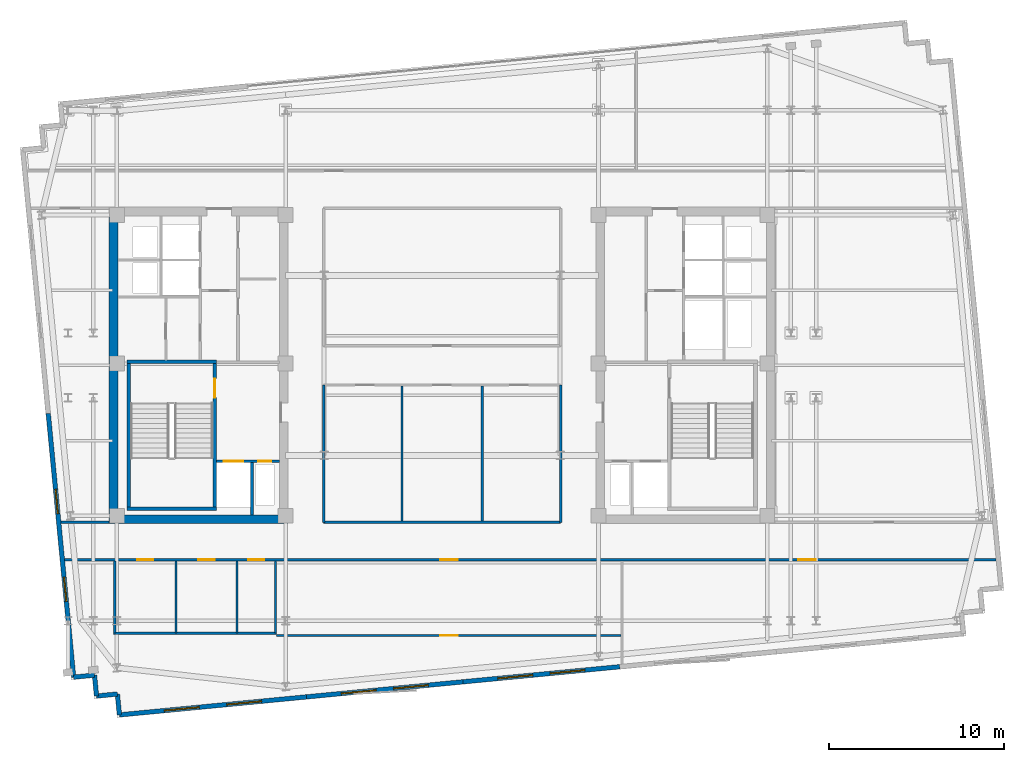
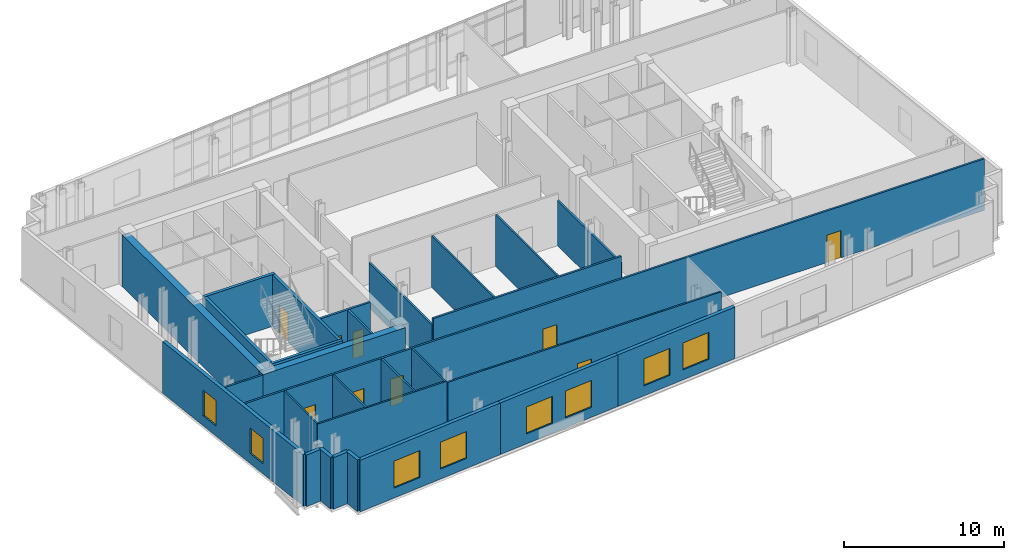
# One storey, part 6 of 11: 29 walls, 9 doors, 8 windows, 17 openings.
"""IFC4 building model written with IfcOpenShell, lengths in metres."""

import ifcopenshell
import ifcopenshell.guid

model = None  # the IFC model being written
_history = None  # IfcOwnerHistory: only IFC2X3 demands one
_inside = {}  # id of a spatial element -> (the spatial element, [elements in it])
_under = {}  # id of a project, library or spatial element -> (it, [spatial elements below it])
_declared = {}  # id of a project -> (the project, [libraries it declares])
_typed = {}  # id of a type object -> (the type object, [elements of that type])
_made_of = {}  # id of a material, layer set ... -> (it, [elements and type objects made of it])


def new_model(schema):
    """Start an empty IFC model of exactly this schema.

    Asked for "IFC4X3", IfcOpenShell would pick the latest addendum, in which some entities
    have other attributes; the version numbers below select the first issue.
    IFC2X3 requires an IfcOwnerHistory on every rooted entity: one is made here for all.
    """
    global model, _history
    if schema == "IFC4X3":
        model = ifcopenshell.file(schema_version=(4, 3, 0, 0))
    else:
        model = ifcopenshell.file(schema=schema)
    _inside.clear()
    _under.clear()
    _declared.clear()
    _typed.clear()
    _made_of.clear()
    _history = None
    if model.schema == "IFC2X3":
        org = make("IfcOrganization", Name="unknown")
        user = make(
            "IfcPersonAndOrganization",
            ThePerson=make("IfcPerson", FamilyName="unknown"),
            TheOrganization=org,
        )
        app = make(
            "IfcApplication",
            ApplicationDeveloper=org,
            Version="unknown",
            ApplicationFullName="unknown",
            ApplicationIdentifier="unknown",
        )
        _history = make(
            "IfcOwnerHistory",
            OwningUser=user,
            OwningApplication=app,
            ChangeAction="ADDED",
            CreationDate=0,
        )
    return model


def make(cls, **values):
    """One entity of the class cls with the attributes given. An attribute that is None is left unset."""
    return model.create_entity(
        cls, **{name: value for name, value in values.items() if value is not None}
    )


def rooted(cls, **values):
    """An entity with a GlobalId (a new one), such as an element, a storey or a relation."""
    return make(cls, GlobalId=ifcopenshell.guid.new(), OwnerHistory=_history, **values)


def si_unit(unit_type, name, prefix=None):
    """IfcSIUnit, for example si_unit("LENGTHUNIT", "METRE", prefix="MILLI")."""
    return make("IfcSIUnit", UnitType=unit_type, Prefix=prefix, Name=name)


def assignment(units):
    """IfcUnitAssignment: the units of a project."""
    return None if units is None else make("IfcUnitAssignment", Units=units)


def point(xyz):
    """IfcCartesianPoint."""
    return None if xyz is None else make("IfcCartesianPoint", Coordinates=xyz)


def direction(xyz):
    """IfcDirection."""
    return None if xyz is None else make("IfcDirection", DirectionRatios=xyz)


def frame(location, z_axis=None, x_axis=None):
    """IfcAxis2Placement3D, a coordinate frame: its origin and axes. An axis left out is left unset."""
    return make(
        "IfcAxis2Placement3D",
        Location=point(location),
        Axis=direction(z_axis),
        RefDirection=direction(x_axis),
    )


def frame_2d(location, x_axis=None):
    """IfcAxis2Placement2D, a coordinate frame in the plane: its origin and x axis."""
    return make(
        "IfcAxis2Placement2D", Location=point(location), RefDirection=direction(x_axis)
    )


def origin():
    """The frame at (0, 0, 0) with its axes left unset."""
    return frame((0.0, 0.0, 0.0))


def place(relative_to, where):
    """IfcLocalPlacement: puts the frame where relative to a parent placement (None: the world)."""
    return make(
        "IfcLocalPlacement", PlacementRelTo=relative_to, RelativePlacement=where
    )


def context(
    kind, dimensions, precision=None, world=None, true_north=None, identifier=None
):
    """IfcGeometricRepresentationContext, for example the 3D "Model" context."""
    return make(
        "IfcGeometricRepresentationContext",
        ContextIdentifier=identifier,
        ContextType=kind,
        CoordinateSpaceDimension=dimensions,
        Precision=precision,
        WorldCoordinateSystem=world,
        TrueNorth=true_north,
    )


def subcontext(parent, identifier, kind, view, scale=None):
    """IfcGeometricRepresentationSubContext, for example "Body" below "Model"."""
    return make(
        "IfcGeometricRepresentationSubContext",
        ContextIdentifier=identifier,
        ContextType=kind,
        ParentContext=parent,
        TargetScale=scale,
        TargetView=view,
    )


def project(units=None, contexts=None):
    """IfcProject with its units and contexts."""
    return rooted(
        "IfcProject",
        Name="project",
        RepresentationContexts=contexts,
        UnitsInContext=assignment(units),
    )


def spatial(cls, under=None, at=None, **own):
    """A site, building, storey or space (cls), placed at a placement, below another one or the project."""
    s = rooted(cls, ObjectPlacement=at, **own)
    if under is not None:
        _under.setdefault(under.id(), (under, []))[1].append(s)
    return s


def profile(cls, at=None, kind="AREA", **sizes):
    """A parametric profile (cls). Its sizes go by their IFC names, for example OverallWidth=200.0."""
    return make(cls, ProfileType=kind, Position=at, **sizes)


def rectangle(**sizes):
    """IfcRectangleProfileDef."""
    return profile("IfcRectangleProfileDef", **sizes)


def extrude(swept, where, along, depth):
    """IfcExtrudedAreaSolid: the profile swept, set in the frame where, extruded along a direction by depth."""
    return make(
        "IfcExtrudedAreaSolid",
        SweptArea=swept,
        Position=where,
        ExtrudedDirection=direction(along),
        Depth=depth,
    )


def shape(context_of_items, identifier, shape_type, items):
    """IfcShapeRepresentation: the items that make up one representation, for example the "Body"."""
    return make(
        "IfcShapeRepresentation",
        ContextOfItems=context_of_items,
        RepresentationIdentifier=identifier,
        RepresentationType=shape_type,
        Items=items,
    )


def material(Name=None, Category=None):
    """IfcMaterial."""
    return make("IfcMaterial", Name=Name, Category=Category)


def layer(
    of_material, thickness, ventilated=None, Name=None, Category=None, Priority=None
):
    """IfcMaterialLayer: one layer of a wall or slab, of a material (None: an air gap)."""
    return make(
        "IfcMaterialLayer",
        Material=of_material,
        LayerThickness=thickness,
        IsVentilated=ventilated,
        Name=Name,
        Category=Category,
        Priority=Priority,
    )


def layer_set(layers, Name=None):
    """IfcMaterialLayerSet."""
    return make("IfcMaterialLayerSet", MaterialLayers=layers, LayerSetName=Name)


def made_of(thing, what):
    """Note that an element or type object is made of a material, layer set ...; save() writes the relation."""
    if what is not None:
        _made_of.setdefault(what.id(), (what, []))[1].append(thing)
    return thing


def type_object(cls, material=None, **own):
    """A type object (cls), such as IfcWallType, which elements share."""
    return made_of(rooted(cls, **own), material)


def element(
    cls,
    number,
    at=None,
    inside=None,
    cuts=None,
    type_object=None,
    material=None,
    context=None,
    identifier="Body",
    shape_type=None,
    held_by="IfcProductDefinitionShape",
    body=None,
    shapes=None,
    **own,
):
    """One element of the class cls, such as IfcWall. Its Tag is "e" and its number.

    at: its placement. inside: the storey or other place that contains it. cuts: it is an
    opening in that element (IfcRelVoidsElement). A single representation is given by context,
    identifier, shape_type and body (its items); several are given by shapes. held_by: the class
    of the entity that holds the representations. save() writes the other relations.
    """
    e = rooted(cls, Tag="e%d" % number, ObjectPlacement=at, **own)
    if body is not None:
        shapes = [shape(context, identifier, shape_type, body)]
    if shapes is not None:
        e.Representation = make(held_by, Representations=shapes)
    if inside is not None:
        _inside.setdefault(inside.id(), (inside, []))[1].append(e)
    if cuts is not None:
        rooted(
            "IfcRelVoidsElement", RelatingBuildingElement=cuts, RelatedOpeningElement=e
        )
    if type_object is not None:
        _typed.setdefault(type_object.id(), (type_object, []))[1].append(e)
    return made_of(e, material)


def fill(opening, filler):
    """IfcRelFillsElement: the door or window that sits in an opening."""
    return rooted(
        "IfcRelFillsElement",
        RelatingOpeningElement=opening,
        RelatedBuildingElement=filler,
    )


def aggregate(whole, parts):
    """IfcRelAggregates: a whole, such as a stair, and the parts it consists of."""
    return rooted("IfcRelAggregates", RelatingObject=whole, RelatedObjects=parts)


def save(model, path):
    """Write the relations noted so far, then the file.

    IfcRelAggregates (storeys below a building ...), IfcRelContainedInSpatialStructure (elements
    in a storey), IfcRelDefinesByType, IfcRelAssociatesMaterial and IfcRelDeclares: one each for
    every whole, place, type object, material and project.
    """
    for whole, parts in _under.values():
        aggregate(whole, parts)
    for where, things in _inside.values():
        rooted(
            "IfcRelContainedInSpatialStructure",
            RelatedElements=things,
            RelatingStructure=where,
        )
    for kind, things in _typed.values():
        rooted("IfcRelDefinesByType", RelatedObjects=things, RelatingType=kind)
    for what, things in _made_of.values():
        rooted("IfcRelAssociatesMaterial", RelatedObjects=things, RelatingMaterial=what)
    for by, libraries in _declared.values():
        rooted("IfcRelDeclares", RelatingContext=by, RelatedDefinitions=libraries)
    model.write(path)


model = new_model("IFC4")

# Units and contexts
model_context = context("Model", 3, precision=1e-05, world=origin(), true_north=direction((0.0, 1.0)))
body_context = subcontext(model_context, "Body", "Model", "MODEL_VIEW")
ifc_project = project(units=[si_unit("LENGTHUNIT", "METRE"), si_unit("AREAUNIT", "SQUARE_METRE"), si_unit("VOLUMEUNIT", "CUBIC_METRE"), si_unit("PLANEANGLEUNIT", "RADIAN"), si_unit("MASSUNIT", "GRAM", prefix="KILO")], contexts=[model_context])

# Site, building, storey
site_placement = place(None, origin())
site = spatial("IfcSite", under=ifc_project, at=site_placement, CompositionType="ELEMENT")
building_placement = place(site_placement, origin())
building = spatial("IfcBuilding", under=site, at=building_placement, Name="Velakula Bourse", CompositionType="ELEMENT")
storey_placement = place(building_placement, frame((0.0, 0.0, 282.75)))
storey = spatial("IfcBuildingStorey", under=building, at=storey_placement, Name="L77", CompositionType="ELEMENT", Elevation=282.75)

# Wall, opening, door
ifc_material_1 = material(Name="Concrete M50 (fck 50 MPa)", Category="concrete")
ifc_layer_1 = layer(ifc_material_1, 0.2099609375, Name="Concrete M50 (fck 50 MPa)", Category="concrete")
ifc_layer_set_1 = layer_set([ifc_layer_1], Name="Concrete M50 (fck 50 MPa)")
wall_type_1 = type_object("IfcWallType", Name="WL-CORE-210", PredefinedType="SHEAR", material=ifc_layer_set_1)
wall_1_placement = place(storey_placement, frame((-12.9951171875, -8.10009765625, 0.0), z_axis=(0.0, 0.0, 1.0), x_axis=(0.0, 1.0, 0.0)))
wall_1 = element("IfcWall", 1, at=wall_1_placement, inside=storey, type_object=wall_type_1, Name="L77 Core W Stairwell Shear Wall IN", PredefinedType="SHEAR", context=body_context, shape_type="SweptSolid", body=[
    extrude(rectangle(XDim=8.2001953125, YDim=0.2099609375, at=frame_2d((4.10009765625, 0.0))), origin(), (0.0, 0.0, 1.0), 3.949951171875),
])
opening_1_placement = place(wall_1_placement, frame((6.25, 0.0, 0.0)))
opening_1 = element("IfcOpeningElement", 2, at=opening_1_placement, cuts=wall_1, Name="Opening D-STW1", PredefinedType="OPENING", context=body_context, shape_type="SweptSolid", body=[
    extrude(rectangle(XDim=1.10009765625, YDim=2.14990234375, at=frame_2d((0.550048828125, 1.074951171875))), frame((0.0, 0.114990234375, 0.0), z_axis=(0.0, -1.0, 0.0), x_axis=(1.0, 0.0, 0.0)), (0.0, 0.0, 1.0), 0.22998046875),
])
ifc_material_2 = material(Name="Galvanised painted hollow steel fire door", Category="steel")
door_type_1 = type_object("IfcDoorType", Name="DR-FD120-1100x2150", OperationType="NOTDEFINED", PredefinedType="DOOR", material=ifc_material_2)
door_1_placement = place(opening_1_placement, origin())
door_1 = element("IfcDoor", 3, at=door_1_placement, inside=storey, type_object=door_type_1, Name="L77 Stair ST-W1 Fire Door", OperationType="SINGLE_SWING_LEFT", OverallHeight=2.14990234375, OverallWidth=1.10009765625, PredefinedType="DOOR", context=body_context, shape_type="SweptSolid", body=[
    extrude(rectangle(XDim=1.10009765625, YDim=2.14990234375, at=frame_2d((0.550048828125, 1.074951171875))), frame((0.0, 0.02490234375, 0.0), z_axis=(0.0, -1.0, 0.0), x_axis=(1.0, 0.0, 0.0)), (0.0, 0.0, 1.0), 0.050048828125),
])
fill(opening_1, door_1)

# Walls
wall_2_placement = place(storey_placement, frame((-17.925048828125, -8.10009765625, 0.0), z_axis=(0.0, 0.0, 1.0), x_axis=(0.0, 1.0, 0.0)))
element("IfcWall", 4, at=wall_2_placement, inside=storey, type_object=wall_type_1, Name="L77 Core W Stairwell Shear Wall OUT", PredefinedType="SHEAR", context=body_context, shape_type="SweptSolid", body=[
    extrude(rectangle(XDim=8.2001953125, YDim=0.2099609375, at=frame_2d((4.10009765625, 0.0))), origin(), (0.0, 0.0, 1.0), 3.949951171875),
])
for number, where, z_axis, x_axis, name in (
    (5, (-18.030029296875, -8.205078125, 0.0), (0.0, 0.0, 1.0), (1.0, 0.0, 0.0), "L77 Core W Stairwell Shear Wall S"),
    (6, (-12.889892578125, 0.205078125, 0.0), (0.0, 0.0, 1.0), (-1.0, 0.0, 0.0), "L77 Core W Stairwell Shear Wall N"),
):
    element("IfcWall", number, at=place(storey_placement, frame(where, z_axis=z_axis, x_axis=x_axis)), inside=storey, type_object=wall_type_1, Name=name, PredefinedType="SHEAR", context=body_context, shape_type="SweptSolid", body=[
        extrude(rectangle(XDim=5.14013671875, YDim=0.2099609375, at=frame_2d((2.570068359375, 0.0))), origin(), (0.0, 0.0, 1.0), 3.949951171875),
    ])
ifc_layer_2 = layer(ifc_material_1, 0.5, Name="Concrete M50 (fck 50 MPa)", Category="concrete")
ifc_layer_set_2 = layer_set([ifc_layer_2], Name="Concrete M50 (fck 50 MPa)")
wall_type_2 = type_object("IfcWallType", Name="WL-CORE-500", PredefinedType="SHEAR", material=ifc_layer_set_2)
wall_3_placement = place(storey_placement, frame((-19.050048828125, -8.800048828125, 0.0), z_axis=(0.0, 0.0, 1.0), x_axis=(1.0, 0.0, 0.0)))
element("IfcWall", 7, at=wall_3_placement, inside=storey, type_object=wall_type_2, Name="L77 Core W Shear Wall S", PredefinedType="SHEAR", context=body_context, shape_type="SweptSolid", body=[
    extrude(rectangle(XDim=10.25, YDim=0.5, at=frame_2d((5.125, 0.0))), origin(), (0.0, 0.0, 1.0), 3.949951171875),
])
wall_4_placement = place(storey_placement, frame((-18.800048828125, -8.550048828125, 0.0), z_axis=(0.0, 0.0, 1.0), x_axis=(0.0, 1.0, 0.0)))
element("IfcWall", 8, at=wall_4_placement, inside=storey, type_object=wall_type_2, Name="L77 Core W Shear Wall W", PredefinedType="SHEAR", context=body_context, shape_type="SweptSolid", body=[
    extrude(rectangle(XDim=17.10009765625, YDim=0.5, at=frame_2d((8.550048828125, 0.0))), origin(), (0.0, 0.0, 1.0), 3.949951171875),
])

# Wall, openings, windows
ifc_material_3 = material(Name="Buff kilned clay facing brick masonry", Category="masonry")
ifc_layer_3 = layer(ifc_material_3, 0.260009765625, Name="Buff kilned clay facing brick masonry", Category="masonry")
ifc_layer_set_3 = layer_set([ifc_layer_3], Name="Buff kilned clay facing brick masonry")
wall_type_3 = type_object("IfcWallType", Name="WL-EXT-BRK-260", PredefinedType="STANDARD", material=ifc_layer_set_3)
wall_5_placement = place(storey_placement, frame((-7.755859375, -18.963134765625, 0.0), z_axis=(0.0, 0.0, 1.0), x_axis=(-0.995396745868, -0.095840066339, 0.0)))
wall_5 = element("IfcWall", 9, at=wall_5_placement, inside=storey, type_object=wall_type_3, Name="L77 S Brick Spandrel Wall B1", PredefinedType="STANDARD", context=body_context, shape_type="SweptSolid", body=[
    extrude(rectangle(XDim=10.75, YDim=0.260009765625, at=frame_2d((5.375, 0.0))), origin(), (0.0, 0.0, 1.0), 3.929931640625),
])
opening_2_placement = place(wall_5_placement, frame((2.583251953125, 0.0, 0.760009765625)))
opening_2 = element("IfcOpeningElement", 10, at=opening_2_placement, cuts=wall_5, Name="Opening W-05", PredefinedType="OPENING", context=body_context, shape_type="SweptSolid", body=[
    extrude(rectangle(XDim=2.0, YDim=2.050048828125, at=frame_2d((1.0, 1.02490234375))), frame((0.0, 0.139892578125, 0.0), z_axis=(0.0, -1.0, 0.0), x_axis=(1.0, 0.0, 0.0)), (0.0, 0.0, 1.0), 0.280029296875),
])
opening_3_placement = place(wall_5_placement, frame((6.166748046875, 0.0, 0.760009765625)))
opening_3 = element("IfcOpeningElement", 11, at=opening_3_placement, cuts=wall_5, Name="Opening W-05", PredefinedType="OPENING", context=body_context, shape_type="SweptSolid", body=[
    extrude(rectangle(XDim=2.0, YDim=2.050048828125, at=frame_2d((1.0, 1.02490234375))), frame((0.0, 0.139892578125, 0.0), z_axis=(0.0, -1.0, 0.0), x_axis=(1.0, 0.0, 0.0)), (0.0, 0.0, 1.0), 0.280029296875),
])
ifc_material_4 = material(Name="Double-glazed solar-control Low-E glass", Category="glass")
window_type_1 = type_object("IfcWindowType", Name="WIN-TWR-2000x2200", PartitioningType="DOUBLE_PANEL_VERTICAL", PredefinedType="WINDOW", material=ifc_material_4)
window_1_placement = place(opening_2_placement, origin())
window_1 = element("IfcWindow", 12, at=window_1_placement, inside=storey, type_object=window_type_1, Name="L77 Deep-Set Recessed Window 1", OverallHeight=2.050048828125, OverallWidth=2.0, PartitioningType="DOUBLE_PANEL_VERTICAL", PredefinedType="WINDOW", context=body_context, shape_type="SweptSolid", body=[
    extrude(rectangle(XDim=2.0, YDim=2.050048828125, at=frame_2d((1.0, 1.02490234375))), frame((0.0, 0.030029296875, 0.0), z_axis=(0.0, -1.0, 0.0), x_axis=(1.0, 0.0, 0.0)), (0.0, 0.0, 1.0), 0.06005859375),
])
fill(opening_2, window_1)
window_2_placement = place(opening_3_placement, origin())
window_2 = element("IfcWindow", 13, at=window_2_placement, inside=storey, type_object=window_type_1, Name="L77 Deep-Set Recessed Window 2", OverallHeight=2.050048828125, OverallWidth=2.0, PartitioningType="DOUBLE_PANEL_VERTICAL", PredefinedType="WINDOW", context=body_context, shape_type="SweptSolid", body=[
    extrude(rectangle(XDim=2.0, YDim=2.050048828125, at=frame_2d((1.0, 1.02490234375))), frame((0.0, 0.030029296875, 0.0), z_axis=(0.0, -1.0, 0.0), x_axis=(1.0, 0.0, 0.0)), (0.0, 0.0, 1.0), 0.06005859375),
])
fill(opening_3, window_2)

wall_6_placement = place(storey_placement, frame((1.202880859375, -18.1005859375, 0.0), z_axis=(0.0, 0.0, 1.0), x_axis=(-0.995397043619, -0.095836973841, 0.0)))
wall_6 = element("IfcWall", 14, at=wall_6_placement, inside=storey, type_object=wall_type_3, Name="L77 S Brick Spandrel Wall B2", PredefinedType="STANDARD", context=body_context, shape_type="SweptSolid", body=[
    extrude(rectangle(XDim=9.000244140625, YDim=0.260009765625, at=frame_2d((4.5, 0.0))), origin(), (0.0, 0.0, 1.0), 3.929931640625),
])
opening_4_placement = place(wall_6_placement, frame((2.0, 0.0, 0.760009765625)))
opening_4 = element("IfcOpeningElement", 15, at=opening_4_placement, cuts=wall_6, Name="Opening W-05", PredefinedType="OPENING", context=body_context, shape_type="SweptSolid", body=[
    extrude(rectangle(XDim=2.0, YDim=2.050048828125, at=frame_2d((1.0, 1.02490234375))), frame((0.0, 0.139892578125, 0.0), z_axis=(0.0, -1.0, 0.0), x_axis=(1.0, 0.0, 0.0)), (0.0, 0.0, 1.0), 0.280029296875),
])
opening_5_placement = place(wall_6_placement, frame((5.0, 0.0, 0.760009765625)))
opening_5 = element("IfcOpeningElement", 16, at=opening_5_placement, cuts=wall_6, Name="Opening W-05", PredefinedType="OPENING", context=body_context, shape_type="SweptSolid", body=[
    extrude(rectangle(XDim=2.0, YDim=2.050048828125, at=frame_2d((1.0, 1.02490234375))), frame((0.0, 0.139892578125, 0.0), z_axis=(0.0, -1.0, 0.0), x_axis=(1.0, 0.0, 0.0)), (0.0, 0.0, 1.0), 0.280029296875),
])
window_3_placement = place(opening_4_placement, origin())
window_3 = element("IfcWindow", 17, at=window_3_placement, inside=storey, type_object=window_type_1, Name="L77 Deep-Set Recessed Window 1", OverallHeight=2.050048828125, OverallWidth=2.0, PartitioningType="DOUBLE_PANEL_VERTICAL", PredefinedType="WINDOW", context=body_context, shape_type="SweptSolid", body=[
    extrude(rectangle(XDim=2.0, YDim=2.050048828125, at=frame_2d((1.0, 1.02490234375))), frame((0.0, 0.030029296875, 0.0), z_axis=(0.0, -1.0, 0.0), x_axis=(1.0, 0.0, 0.0)), (0.0, 0.0, 1.0), 0.06005859375),
])
fill(opening_4, window_3)
window_4_placement = place(opening_5_placement, origin())
window_4 = element("IfcWindow", 18, at=window_4_placement, inside=storey, type_object=window_type_1, Name="L77 Deep-Set Recessed Window 2", OverallHeight=2.050048828125, OverallWidth=2.0, PartitioningType="DOUBLE_PANEL_VERTICAL", PredefinedType="WINDOW", context=body_context, shape_type="SweptSolid", body=[
    extrude(rectangle(XDim=2.0, YDim=2.050048828125, at=frame_2d((1.0, 1.02490234375))), frame((0.0, 0.030029296875, 0.0), z_axis=(0.0, -1.0, 0.0), x_axis=(1.0, 0.0, 0.0)), (0.0, 0.0, 1.0), 0.06005859375),
])
fill(opening_5, window_4)

wall_7_placement = place(storey_placement, frame((10.161376953125, -17.23779296875, 0.0), z_axis=(0.0, 0.0, 1.0), x_axis=(-0.995394206237, -0.095866439332, 0.0)))
wall_7 = element("IfcWall", 19, at=wall_7_placement, inside=storey, type_object=wall_type_3, Name="L77 S Brick Spandrel Wall B3", PredefinedType="STANDARD", context=body_context, shape_type="SweptSolid", body=[
    extrude(rectangle(XDim=9.0, YDim=0.260009765625, at=frame_2d((4.5, 0.0))), origin(), (0.0, 0.0, 1.0), 3.929931640625),
])
opening_6_placement = place(wall_7_placement, frame((2.0, 0.0, 0.760009765625)))
opening_6 = element("IfcOpeningElement", 20, at=opening_6_placement, cuts=wall_7, Name="Opening W-05", PredefinedType="OPENING", context=body_context, shape_type="SweptSolid", body=[
    extrude(rectangle(XDim=2.0, YDim=2.050048828125, at=frame_2d((1.0, 1.02490234375))), frame((0.0, 0.139892578125, 0.0), z_axis=(0.0, -1.0, 0.0), x_axis=(1.0, 0.0, 0.0)), (0.0, 0.0, 1.0), 0.280029296875),
])
opening_7_placement = place(wall_7_placement, frame((5.0, 0.0, 0.760009765625)))
opening_7 = element("IfcOpeningElement", 21, at=opening_7_placement, cuts=wall_7, Name="Opening W-05", PredefinedType="OPENING", context=body_context, shape_type="SweptSolid", body=[
    extrude(rectangle(XDim=2.0, YDim=2.050048828125, at=frame_2d((1.0, 1.02490234375))), frame((0.0, 0.139892578125, 0.0), z_axis=(0.0, -1.0, 0.0), x_axis=(1.0, 0.0, 0.0)), (0.0, 0.0, 1.0), 0.280029296875),
])
window_5_placement = place(opening_6_placement, origin())
window_5 = element("IfcWindow", 22, at=window_5_placement, inside=storey, type_object=window_type_1, Name="L77 Deep-Set Recessed Window 1", OverallHeight=2.050048828125, OverallWidth=2.0, PartitioningType="DOUBLE_PANEL_VERTICAL", PredefinedType="WINDOW", context=body_context, shape_type="SweptSolid", body=[
    extrude(rectangle(XDim=2.0, YDim=2.050048828125, at=frame_2d((1.0, 1.02490234375))), frame((0.0, 0.030029296875, 0.0), z_axis=(0.0, -1.0, 0.0), x_axis=(1.0, 0.0, 0.0)), (0.0, 0.0, 1.0), 0.06005859375),
])
fill(opening_6, window_5)
window_6_placement = place(opening_7_placement, origin())
window_6 = element("IfcWindow", 23, at=window_6_placement, inside=storey, type_object=window_type_1, Name="L77 Deep-Set Recessed Window 2", OverallHeight=2.050048828125, OverallWidth=2.0, PartitioningType="DOUBLE_PANEL_VERTICAL", PredefinedType="WINDOW", context=body_context, shape_type="SweptSolid", body=[
    extrude(rectangle(XDim=2.0, YDim=2.050048828125, at=frame_2d((1.0, 1.02490234375))), frame((0.0, 0.030029296875, 0.0), z_axis=(0.0, -1.0, 0.0), x_axis=(1.0, 0.0, 0.0)), (0.0, 0.0, 1.0), 0.06005859375),
])
fill(opening_7, window_6)

wall_8_placement = place(storey_placement, frame((-21.0751953125, -17.83447265625, 0.0), z_axis=(0.0, 0.0, 1.0), x_axis=(-0.095852427869, 0.995395555582, 0.0)))
wall_8 = element("IfcWall", 24, at=wall_8_placement, inside=storey, type_object=wall_type_3, Name="L77 W Brick End Wall W1", PredefinedType="STANDARD", context=body_context, shape_type="SweptSolid", body=[
    extrude(rectangle(XDim=15.14990234375, YDim=0.260009765625, at=frame_2d((7.574951171875, 0.0))), origin(), (0.0, 0.0, 1.0), 3.929931640625),
])
opening_8_placement = place(wall_8_placement, frame((4.35009765625, 0.0, 0.760009765625)))
opening_8 = element("IfcOpeningElement", 25, at=opening_8_placement, cuts=wall_8, Name="Opening W-03", PredefinedType="OPENING", context=body_context, shape_type="SweptSolid", body=[
    extrude(rectangle(XDim=1.39990234375, YDim=1.949951171875, at=frame_2d((0.699951171875, 0.97509765625))), frame((0.0, 0.139892578125, 0.0), z_axis=(0.0, -1.0, 0.0), x_axis=(1.0, 0.0, 0.0)), (0.0, 0.0, 1.0), 0.280029296875),
])
opening_9_placement = place(wall_8_placement, frame((9.39990234375, 0.0, 0.760009765625)))
opening_9 = element("IfcOpeningElement", 26, at=opening_9_placement, cuts=wall_8, Name="Opening W-03", PredefinedType="OPENING", context=body_context, shape_type="SweptSolid", body=[
    extrude(rectangle(XDim=1.39990234375, YDim=1.949951171875, at=frame_2d((0.699951171875, 0.97509765625))), frame((0.0, 0.139892578125, 0.0), z_axis=(0.0, -1.0, 0.0), x_axis=(1.0, 0.0, 0.0)), (0.0, 0.0, 1.0), 0.280029296875),
])
window_type_2 = type_object("IfcWindowType", Name="WIN-TWR-1400x2100", PartitioningType="SINGLE_PANEL", PredefinedType="WINDOW", material=ifc_material_4)
window_7_placement = place(opening_8_placement, origin())
window_7 = element("IfcWindow", 27, at=window_7_placement, inside=storey, type_object=window_type_2, Name="L77 Deep-Set Recessed Window 1", OverallHeight=1.949951171875, OverallWidth=1.39990234375, PartitioningType="SINGLE_PANEL", PredefinedType="WINDOW", context=body_context, shape_type="SweptSolid", body=[
    extrude(rectangle(XDim=1.39990234375, YDim=1.949951171875, at=frame_2d((0.699951171875, 0.97509765625))), frame((0.0, 0.030029296875, 0.0), z_axis=(0.0, -1.0, 0.0), x_axis=(1.0, 0.0, 0.0)), (0.0, 0.0, 1.0), 0.06005859375),
])
fill(opening_8, window_7)
window_8_placement = place(opening_9_placement, origin())
window_8 = element("IfcWindow", 28, at=window_8_placement, inside=storey, type_object=window_type_2, Name="L77 Deep-Set Recessed Window 2", OverallHeight=1.949951171875, OverallWidth=1.39990234375, PartitioningType="SINGLE_PANEL", PredefinedType="WINDOW", context=body_context, shape_type="SweptSolid", body=[
    extrude(rectangle(XDim=1.39990234375, YDim=1.949951171875, at=frame_2d((0.699951171875, 0.97509765625))), frame((0.0, 0.030029296875, 0.0), z_axis=(0.0, -1.0, 0.0), x_axis=(1.0, 0.0, 0.0)), (0.0, 0.0, 1.0), 0.06005859375),
])
fill(opening_9, window_8)

# Walls
wall_9_placement = place(storey_placement, frame((-21.0751953125, -17.83447265625, 0.0), z_axis=(0.0, 0.0, 1.0), x_axis=(0.995397091755, 0.095836473879, 0.0)))
element("IfcWall", 29, at=wall_9_placement, inside=storey, type_object=wall_type_3, Name="L77 Serrated Corner Brick Wall SW-1", PredefinedType="STANDARD", context=body_context, shape_type="SweptSolid", body=[
    extrude(rectangle(XDim=1.199951171875, YDim=0.260009765625, at=frame_2d((0.60009765625, 0.0))), origin(), (0.0, 0.0, 1.0), 3.929931640625),
])
for number, where, z_axis, x_axis, name in (
    (30, (-19.880859375, -17.719482421875, 0.0), (0.0, 0.0, 1.0), (0.095817067274, -0.995398960025, 0.0), "L77 Serrated Corner Brick Wall SW-2"),
    (31, (-19.765869140625, -18.9140625, 0.0), (0.0, 0.0, 1.0), (0.995398960025, 0.095817067274, 0.0), "L77 Serrated Corner Brick Wall SW-3"),
):
    element("IfcWall", number, at=place(storey_placement, frame(where, z_axis=z_axis, x_axis=x_axis)), inside=storey, type_object=wall_type_3, Name=name, PredefinedType="STANDARD", context=body_context, shape_type="SweptSolid", body=[
        extrude(rectangle(XDim=1.2001953125, YDim=0.260009765625, at=frame_2d((0.60009765625, 0.0))), origin(), (0.0, 0.0, 1.0), 3.929931640625),
    ])
wall_10_placement = place(storey_placement, frame((-18.5712890625, -18.799072265625, 0.0), z_axis=(0.0, 0.0, 1.0), x_axis=(0.095836473879, -0.995397091755, 0.0)))
element("IfcWall", 32, at=wall_10_placement, inside=storey, type_object=wall_type_3, Name="L77 Serrated Corner Brick Wall SW-4", PredefinedType="STANDARD", context=body_context, shape_type="SweptSolid", body=[
    extrude(rectangle(XDim=1.199951171875, YDim=0.260009765625, at=frame_2d((0.60009765625, 0.0))), origin(), (0.0, 0.0, 1.0), 3.929931640625),
])
ifc_material_5 = material(Name="Fire-rated double-layer gypsum drywall partition", Category="gypsum")
ifc_layer_4 = layer(ifc_material_5, 0.1201171875, Name="Fire-rated double-layer gypsum drywall partition", Category="gypsum")
ifc_layer_set_4 = layer_set([ifc_layer_4], Name="Fire-rated double-layer gypsum drywall partition")
wall_type_4 = type_object("IfcWallType", Name="WL-PART-120", PredefinedType="STANDARD", material=ifc_layer_set_4)
wall_11_placement = place(storey_placement, frame((-18.7841796875, -15.320068359375, 0.0), z_axis=(0.0, 0.0, 1.0), x_axis=(1.0, 0.0, 0.0)))
element("IfcWall", 33, at=wall_11_placement, inside=storey, type_object=wall_type_4, Name="L77 Interior Partition WL-WC-L77-BACK", PredefinedType="STANDARD", context=body_context, shape_type="SweptSolid", body=[
    extrude(rectangle(XDim=9.320068359375, YDim=0.1201171875, at=frame_2d((4.66015625, 0.0))), origin(), (0.0, 0.0, 1.0), 3.929931640625),
])
for number, where, z_axis, x_axis, name in (
    (34, (-18.72412109375, -15.320068359375, 0.0), (0.0, 0.0, 1.0), (0.0, 1.0, 0.0), "L77 Interior Partition WL-WC-L77-V1"),
    (35, (-15.22412109375, -15.320068359375, 0.0), (0.0, 0.0, 1.0), (0.0, 1.0, 0.0), "L77 Interior Partition WL-WC-L77-V2"),
    (36, (-11.72412109375, -15.320068359375, 0.0), (0.0, 0.0, 1.0), (0.0, 1.0, 0.0), "L77 Interior Partition WL-WC-L77-V3"),
    (37, (-9.52392578125, -15.320068359375, 0.0), (0.0, 0.0, 1.0), (0.0, 1.0, 0.0), "L77 Interior Partition WL-WC-L77-V4"),
):
    element("IfcWall", number, at=place(storey_placement, frame(where, z_axis=z_axis, x_axis=x_axis)), inside=storey, type_object=wall_type_4, Name=name, PredefinedType="STANDARD", context=body_context, shape_type="SweptSolid", body=[
        extrude(rectangle(XDim=4.130126953125, YDim=0.1201171875, at=frame_2d((2.06494140625, 0.0))), origin(), (0.0, 0.0, 1.0), 3.929931640625),
    ])

# Wall, opening, door
wall_12_placement = place(storey_placement, frame((-9.464111328125, -15.452880859375, 0.0), z_axis=(0.0, 0.0, 1.0), x_axis=(1.0, 0.0, 0.0)))
wall_12 = element("IfcWall", 38, at=wall_12_placement, inside=storey, type_object=wall_type_4, Name="L77 Interior Partition WL-INT-L77-S-MID", PredefinedType="STANDARD", context=body_context, shape_type="SweptSolid", body=[
    extrude(rectangle(XDim=19.7021484375, YDim=0.1201171875, at=frame_2d((9.85107421875, 0.0))), origin(), (0.0, 0.0, 1.0), 3.929931640625),
])
opening_10_placement = place(wall_12_placement, frame((9.35107421875, 0.0, 0.0)))
opening_10 = element("IfcOpeningElement", 39, at=opening_10_placement, cuts=wall_12, Name="Opening D-OF1", PredefinedType="OPENING", context=body_context, shape_type="SweptSolid", body=[
    extrude(rectangle(XDim=1.0, YDim=2.080078125, at=frame_2d((0.5, 1.0400390625))), frame((0.0, 0.070068359375, 0.0), z_axis=(0.0, -1.0, 0.0), x_axis=(1.0, 0.0, 0.0)), (0.0, 0.0, 1.0), 0.14013671875),
])
ifc_material_6 = material(Name="Fire-rated hardwood flush architectural door", Category="wood")
door_type_2 = type_object("IfcDoorType", Name="DR-OFF-1000", OperationType="NOTDEFINED", PredefinedType="DOOR", material=ifc_material_6)
door_2_placement = place(opening_10_placement, origin())
door_2 = element("IfcDoor", 40, at=door_2_placement, inside=storey, type_object=door_type_2, Name="L77 Sky-Garden Veranda Lounge Door", OperationType="SINGLE_SWING_LEFT", OverallHeight=2.080078125, OverallWidth=1.0, PredefinedType="DOOR", context=body_context, shape_type="SweptSolid", body=[
    extrude(rectangle(XDim=1.0, YDim=2.080078125, at=frame_2d((0.5, 1.0400390625))), frame((0.0, 0.02490234375, 0.0), z_axis=(0.0, -1.0, 0.0), x_axis=(1.0, 0.0, 0.0)), (0.0, 0.0, 1.0), 0.050048828125),
])
fill(opening_10, door_2)

# Wall, openings, doors
ifc_layer_5 = layer(ifc_material_5, 0.139892578125, Name="Fire-rated double-layer gypsum drywall partition", Category="gypsum")
ifc_layer_set_5 = layer_set([ifc_layer_5], Name="Fire-rated double-layer gypsum drywall partition")
wall_type_5 = type_object("IfcWallType", Name="WL-PART-140", PredefinedType="STANDARD", material=ifc_layer_set_5)
wall_13_placement = place(storey_placement, frame((-21.59130859375, -11.1201171875, 0.0), z_axis=(0.0, 0.0, 1.0), x_axis=(1.0, 0.0, 0.0)))
wall_13 = element("IfcWall", 41, at=wall_13_placement, inside=storey, type_object=wall_type_5, Name="L77 Interior Partition WL-INT-L77-S-CORR", PredefinedType="STANDARD", context=body_context, shape_type="SweptSolid", body=[
    extrude(rectangle(XDim=53.285400390625, YDim=0.139892578125, at=frame_2d((26.642578125, 0.0))), origin(), (0.0, 0.0, 1.0), 3.929931640625),
])
opening_11_placement = place(wall_13_placement, frame((4.156982421875, 0.0, 0.0)))
opening_11 = element("IfcOpeningElement", 42, at=opening_11_placement, cuts=wall_13, Name="Opening D-WT1", PredefinedType="OPENING", context=body_context, shape_type="SweptSolid", body=[
    extrude(rectangle(XDim=0.919921875, YDim=2.080078125, at=frame_2d((0.4599609375, 1.0400390625))), frame((0.0, 0.079833984375, 0.0), z_axis=(0.0, -1.0, 0.0), x_axis=(1.0, 0.0, 0.0)), (0.0, 0.0, 1.0), 0.159912109375),
])
opening_12_placement = place(wall_13_placement, frame((7.6572265625, 0.0, 0.0)))
opening_12 = element("IfcOpeningElement", 43, at=opening_12_placement, cuts=wall_13, Name="Opening D-WT1", PredefinedType="OPENING", context=body_context, shape_type="SweptSolid", body=[
    extrude(rectangle(XDim=0.919921875, YDim=2.080078125, at=frame_2d((0.4599609375, 1.0400390625))), frame((0.0, 0.079833984375, 0.0), z_axis=(0.0, -1.0, 0.0), x_axis=(1.0, 0.0, 0.0)), (0.0, 0.0, 1.0), 0.159912109375),
])
opening_13_placement = place(wall_13_placement, frame((10.507080078125, 0.0, 0.0)))
opening_13 = element("IfcOpeningElement", 44, at=opening_13_placement, cuts=wall_13, Name="Opening D-WC1", PredefinedType="OPENING", context=body_context, shape_type="SweptSolid", body=[
    extrude(rectangle(XDim=0.919921875, YDim=2.080078125, at=frame_2d((0.4599609375, 1.0400390625))), frame((0.0, 0.079833984375, 0.0), z_axis=(0.0, -1.0, 0.0), x_axis=(1.0, 0.0, 0.0)), (0.0, 0.0, 1.0), 0.159912109375),
])
opening_14_placement = place(wall_13_placement, frame((21.478271484375, 0.0, 0.0)))
opening_14 = element("IfcOpeningElement", 45, at=opening_14_placement, cuts=wall_13, Name="Opening D-OF1", PredefinedType="OPENING", context=body_context, shape_type="SweptSolid", body=[
    extrude(rectangle(XDim=1.0, YDim=2.080078125, at=frame_2d((0.5, 1.0400390625))), frame((0.0, 0.079833984375, 0.0), z_axis=(0.0, -1.0, 0.0), x_axis=(1.0, 0.0, 0.0)), (0.0, 0.0, 1.0), 0.159912109375),
])
opening_15_placement = place(wall_13_placement, frame((41.961181640625, 0.0, 0.0)))
opening_15 = element("IfcOpeningElement", 46, at=opening_15_placement, cuts=wall_13, Name="Opening D-OF1", PredefinedType="OPENING", context=body_context, shape_type="SweptSolid", body=[
    extrude(rectangle(XDim=1.0, YDim=2.080078125, at=frame_2d((0.5, 1.0400390625))), frame((0.0, 0.079833984375, 0.0), z_axis=(0.0, -1.0, 0.0), x_axis=(1.0, 0.0, 0.0)), (0.0, 0.0, 1.0), 0.159912109375),
])
door_3_placement = place(opening_14_placement, origin())
door_3 = element("IfcDoor", 47, at=door_3_placement, inside=storey, type_object=door_type_2, Name="L77 Broadcast Control Office Door", OperationType="SINGLE_SWING_RIGHT", OverallHeight=2.080078125, OverallWidth=1.0, PredefinedType="DOOR", context=body_context, shape_type="SweptSolid", body=[
    extrude(rectangle(XDim=1.0, YDim=2.080078125, at=frame_2d((0.5, 1.0400390625))), frame((0.0, 0.02490234375, 0.0), z_axis=(0.0, -1.0, 0.0), x_axis=(1.0, 0.0, 0.0)), (0.0, 0.0, 1.0), 0.050048828125),
])
fill(opening_14, door_3)
door_4_placement = place(opening_15_placement, origin())
door_4 = element("IfcDoor", 48, at=door_4_placement, inside=storey, type_object=door_type_2, Name="L77 Compliance Review Office Door", OperationType="SINGLE_SWING_RIGHT", OverallHeight=2.080078125, OverallWidth=1.0, PredefinedType="DOOR", context=body_context, shape_type="SweptSolid", body=[
    extrude(rectangle(XDim=1.0, YDim=2.080078125, at=frame_2d((0.5, 1.0400390625))), frame((0.0, 0.02490234375, 0.0), z_axis=(0.0, -1.0, 0.0), x_axis=(1.0, 0.0, 0.0)), (0.0, 0.0, 1.0), 0.050048828125),
])
fill(opening_15, door_4)
door_type_3 = type_object("IfcDoorType", Name="DR-WC-950", OperationType="NOTDEFINED", PredefinedType="DOOR", material=ifc_material_6)
door_5_placement = place(opening_11_placement, origin())
door_5 = element("IfcDoor", 49, at=door_5_placement, inside=storey, type_object=door_type_3, Name="L77 Male Public Toilet Door", OperationType="SINGLE_SWING_LEFT", OverallHeight=2.080078125, OverallWidth=0.919921875, PredefinedType="DOOR", context=body_context, shape_type="SweptSolid", body=[
    extrude(rectangle(XDim=0.919921875, YDim=2.080078125, at=frame_2d((0.4599609375, 1.0400390625))), frame((0.0, 0.02490234375, 0.0), z_axis=(0.0, -1.0, 0.0), x_axis=(1.0, 0.0, 0.0)), (0.0, 0.0, 1.0), 0.050048828125),
])
fill(opening_11, door_5)
door_6_placement = place(opening_12_placement, origin())
door_6 = element("IfcDoor", 50, at=door_6_placement, inside=storey, type_object=door_type_3, Name="L77 Female Public Toilet Door", OperationType="SINGLE_SWING_RIGHT", OverallHeight=2.080078125, OverallWidth=0.919921875, PredefinedType="DOOR", context=body_context, shape_type="SweptSolid", body=[
    extrude(rectangle(XDim=0.919921875, YDim=2.080078125, at=frame_2d((0.4599609375, 1.0400390625))), frame((0.0, 0.02490234375, 0.0), z_axis=(0.0, -1.0, 0.0), x_axis=(1.0, 0.0, 0.0)), (0.0, 0.0, 1.0), 0.050048828125),
])
fill(opening_12, door_6)
door_7_placement = place(opening_13_placement, origin())
door_7 = element("IfcDoor", 51, at=door_7_placement, inside=storey, type_object=door_type_3, Name="L77 Accessible WC Door", OperationType="SINGLE_SWING_LEFT", OverallHeight=2.080078125, OverallWidth=0.919921875, PredefinedType="DOOR", context=body_context, shape_type="SweptSolid", body=[
    extrude(rectangle(XDim=0.919921875, YDim=2.080078125, at=frame_2d((0.4599609375, 1.0400390625))), frame((0.0, 0.02490234375, 0.0), z_axis=(0.0, -1.0, 0.0), x_axis=(1.0, 0.0, 0.0)), (0.0, 0.0, 1.0), 0.050048828125),
])
fill(opening_13, door_7)

# Walls
wall_14_placement = place(storey_placement, frame((-21.797119140625, -8.97998046875, 0.0), z_axis=(0.0, 0.0, 1.0), x_axis=(1.0, 0.0, 0.0)))
element("IfcWall", 52, at=wall_14_placement, inside=storey, type_object=wall_type_5, Name="L77 Interior Partition WL-INT-L77-W-SC", PredefinedType="STANDARD", context=body_context, shape_type="SweptSolid", body=[
    extrude(rectangle(XDim=2.7470703125, YDim=0.139892578125, at=frame_2d((1.37353515625, 0.0))), origin(), (0.0, 0.0, 1.0), 3.929931640625),
])
wall_15_placement = place(storey_placement, frame((-6.780029296875, -8.97998046875, 0.0), z_axis=(0.0, 0.0, 1.0), x_axis=(1.0, 0.0, 0.0)))
element("IfcWall", 53, at=wall_15_placement, inside=storey, type_object=wall_type_5, Name="L77 Interior Partition WL-INT-L77-MS-OUT", PredefinedType="STANDARD", context=body_context, shape_type="SweptSolid", body=[
    extrude(rectangle(XDim=13.56005859375, YDim=0.139892578125, at=frame_2d((6.780029296875, 0.0))), origin(), (0.0, 0.0, 1.0), 3.929931640625),
])
for number, where, z_axis, x_axis, name in (
    (54, (-6.780029296875, -8.97998046875, 0.0), (0.0, 0.0, 1.0), (0.0, 1.0, 0.0), "L77 Interior Partition WL-INT-L77-MS-W"),
    (55, (6.780029296875, -8.97998046875, 0.0), (0.0, 0.0, 1.0), (0.0, 1.0, 0.0), "L77 Interior Partition WL-INT-L77-MS-E"),
):
    element("IfcWall", number, at=place(storey_placement, frame(where, z_axis=z_axis, x_axis=x_axis)), inside=storey, type_object=wall_type_5, Name=name, PredefinedType="STANDARD", context=body_context, shape_type="SweptSolid", body=[
        extrude(rectangle(XDim=7.85986328125, YDim=0.139892578125, at=frame_2d((3.929931640625, 0.0))), origin(), (0.0, 0.0, 1.0), 3.425048828125),
    ])
for number, where, z_axis, x_axis, name in (
    (56, (-2.300048828125, -8.909912109375, 0.0), (0.0, 0.0, 1.0), (0.0, 1.0, 0.0), "L77 Interior Partition WL-INT-L77-MS-V1"),
    (57, (2.300048828125, -8.909912109375, 0.0), (0.0, 0.0, 1.0), (0.0, 1.0, 0.0), "L77 Interior Partition WL-INT-L77-MS-V2"),
):
    element("IfcWall", number, at=place(storey_placement, frame(where, z_axis=z_axis, x_axis=x_axis)), inside=storey, type_object=wall_type_5, Name=name, PredefinedType="STANDARD", context=body_context, shape_type="SweptSolid", body=[
        extrude(rectangle(XDim=7.719970703125, YDim=0.1201171875, at=frame_2d((3.85986328125, 0.0))), origin(), (0.0, 0.0, 1.0), 3.929931640625),
    ])

# Wall, openings, doors
ifc_material_7 = material(Name="Autoclaved aerated concrete blockwork masonry", Category="masonry")
ifc_layer_6 = layer(ifc_material_7, 0.14990234375, Name="Autoclaved aerated concrete blockwork masonry", Category="masonry")
ifc_layer_set_6 = layer_set([ifc_layer_6], Name="Autoclaved aerated concrete blockwork masonry")
wall_type_6 = type_object("IfcWallType", Name="WL-SHAFT-150", PredefinedType="STANDARD", material=ifc_layer_set_6)
wall_16_placement = place(storey_placement, frame((-12.89501953125, -5.47509765625, 0.0), z_axis=(0.0, 0.0, 1.0), x_axis=(1.0, 0.0, 0.0)))
wall_16 = element("IfcWall", 58, at=wall_16_placement, inside=storey, type_object=wall_type_6, Name="L77 Interior Partition WL-CRW-L77-FFL-N", PredefinedType="STANDARD", context=body_context, shape_type="SweptSolid", body=[
    extrude(rectangle(XDim=3.594970703125, YDim=0.14990234375, at=frame_2d((1.79736328125, 0.0))), origin(), (0.0, 0.0, 1.0), 3.929931640625),
])
opening_16_placement = place(wall_16_placement, frame((0.419921875, 0.0, 0.0)))
opening_16 = element("IfcOpeningElement", 59, at=opening_16_placement, cuts=wall_16, Name="Opening LD-FFL-1", PredefinedType="OPENING", context=body_context, shape_type="SweptSolid", body=[
    extrude(rectangle(XDim=1.10009765625, YDim=2.14990234375, at=frame_2d((0.550048828125, 1.074951171875))), frame((0.0, 0.0849609375, 0.0), z_axis=(0.0, -1.0, 0.0), x_axis=(1.0, 0.0, 0.0)), (0.0, 0.0, 1.0), 0.169921875),
])
opening_17_placement = place(wall_16_placement, frame((2.3701171875, 0.0, 0.0)))
opening_17 = element("IfcOpeningElement", 60, at=opening_17_placement, cuts=wall_16, Name="Opening D-RS1", PredefinedType="OPENING", context=body_context, shape_type="SweptSolid", body=[
    extrude(rectangle(XDim=0.75, YDim=2.050048828125, at=frame_2d((0.375, 1.02490234375))), frame((0.0, 0.0849609375, 0.0), z_axis=(0.0, -1.0, 0.0), x_axis=(1.0, 0.0, 0.0)), (0.0, 0.0, 1.0), 0.169921875),
])
door_type_4 = type_object("IfcDoorType", Name="DR-RISER-800", OperationType="NOTDEFINED", PredefinedType="DOOR", material=ifc_material_2)
door_8_placement = place(opening_17_placement, origin())
door_8 = element("IfcDoor", 61, at=door_8_placement, inside=storey, type_object=door_type_4, Name="L77 Fire Riser Access Door", OperationType="SINGLE_SWING_LEFT", OverallHeight=2.050048828125, OverallWidth=0.75, PredefinedType="DOOR", context=body_context, shape_type="SweptSolid", body=[
    extrude(rectangle(XDim=0.75, YDim=2.050048828125, at=frame_2d((0.375, 1.02490234375))), frame((0.0, 0.02490234375, 0.0), z_axis=(0.0, -1.0, 0.0), x_axis=(1.0, 0.0, 0.0)), (0.0, 0.0, 1.0), 0.050048828125),
])
fill(opening_17, door_8)
ifc_material_8 = material(Name="Brushed grade 316 stainless steel", Category="steel")
door_type_5 = type_object("IfcDoorType", Name="DR-SLIDE-FFL-1100", OperationType="DOUBLE_DOOR_SLIDING", PredefinedType="DOOR", material=ifc_material_8)
door_9_placement = place(opening_16_placement, origin())
door_9 = element("IfcDoor", 62, at=door_9_placement, inside=storey, type_object=door_type_5, Name="L77 Firefighting Lift FFL-1 Sliding Landing Door", OperationType="DOUBLE_DOOR_SLIDING", OverallHeight=2.14990234375, OverallWidth=1.10009765625, PredefinedType="DOOR", context=body_context, shape_type="SweptSolid", body=[
    extrude(rectangle(XDim=1.10009765625, YDim=2.14990234375, at=frame_2d((0.550048828125, 1.074951171875))), frame((0.0, 0.02490234375, 0.0), z_axis=(0.0, -1.0, 0.0), x_axis=(1.0, 0.0, 0.0)), (0.0, 0.0, 1.0), 0.050048828125),
])
fill(opening_16, door_9)

# Wall
wall_17_placement = place(storey_placement, frame((-10.875, -8.550048828125, 0.0), z_axis=(0.0, 0.0, 1.0), x_axis=(0.0, 1.0, 0.0)))
element("IfcWall", 63, at=wall_17_placement, inside=storey, type_object=wall_type_6, Name="L77 Interior Partition WL-CRW-L77-FR-DIV", PredefinedType="STANDARD", context=body_context, shape_type="SweptSolid", body=[
    extrude(rectangle(XDim=3.0, YDim=0.14990234375, at=frame_2d((1.5, 0.0))), origin(), (0.0, 0.0, 1.0), 3.929931640625),
])

save(model, "model.ifc")
